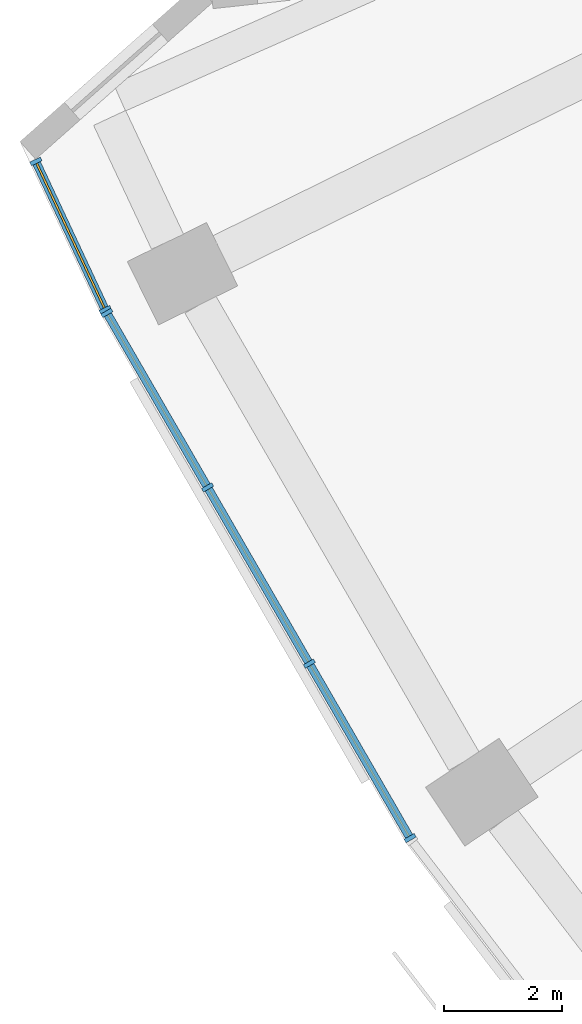
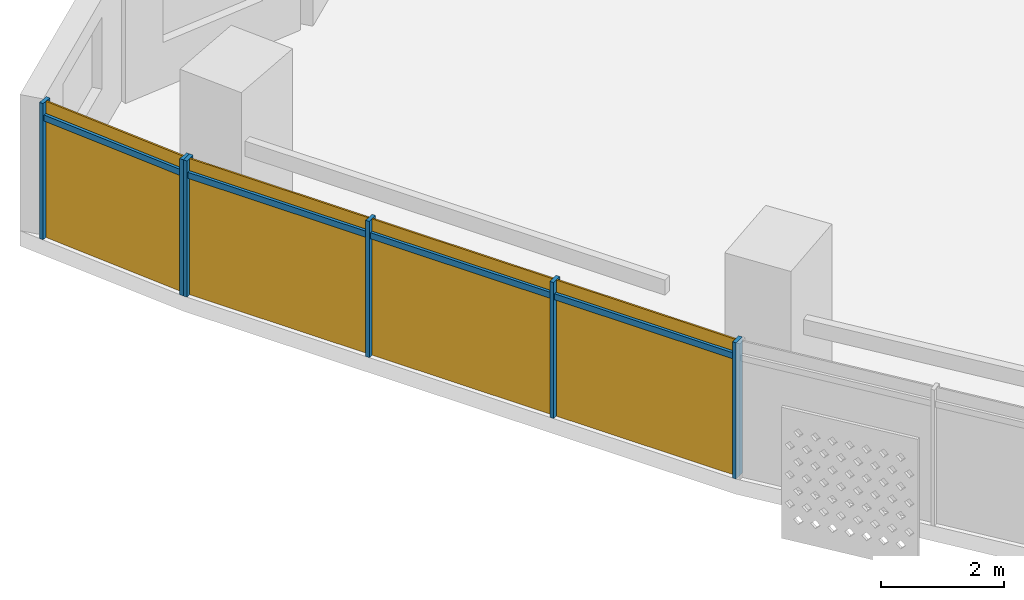
# One storey, part 21 of 29: 10 members, 2 curtain walls.
"""IFC4 building model written with IfcOpenShell, lengths in metres."""

from ifc_helpers import new_model, si_unit, direction, frame, origin, origin_2d, place, context, subcontext, project, spatial, rectangle, extrude, material, material_profile, profile_set, type_object, element, aggregate, save


model = new_model("IFC4")

# Units and contexts
model_context = context("Model", 3, precision=1e-05, world=origin(), true_north=direction((0.0, 1.0)))
body_context = subcontext(model_context, "Body", "Model", "MODEL_VIEW")
ifc_project = project(units=[si_unit("LENGTHUNIT", "METRE"), si_unit("AREAUNIT", "SQUARE_METRE"), si_unit("VOLUMEUNIT", "CUBIC_METRE"), si_unit("PLANEANGLEUNIT", "RADIAN"), si_unit("MASSUNIT", "GRAM", prefix="KILO")], contexts=[model_context])

# Member
ifc_material = material(Name="Aluminium 6063-T6 anodised", Category="aluminium")
ifc_material_profile_1 = material_profile(ifc_material, rectangle(XDim=0.199951171875, YDim=0.070068359375, at=origin_2d()))
ifc_profile_set_1 = profile_set([ifc_material_profile_1], Name="Aluminium 6063-T6 anodised")
member_type_1 = type_object("IfcMemberType", Name="Mullion 70 x 200 aluminium", PredefinedType="MULLION", material=ifc_profile_set_1)
site_placement = place(None, origin())
building_placement = place(site_placement, origin())
storey_placement = place(building_placement, frame((0.0, 0.0, 129.10009765625)))
member_1_placement = place(storey_placement, frame((-72.224609375, -32.4814453125, 0.0), z_axis=(0.0, 0.0, 1.0), x_axis=(0.905707531501, 0.423903134433, 0.0)))
member_1 = element("IfcMember", 1, at=member_1_placement, type_object=member_type_1, Name="e-cw1-L29-out00/M00", PredefinedType="MULLION", context=body_context, shape_type="SweptSolid", body=[
    extrude(rectangle(XDim=0.199951171875, YDim=0.070068359375, at=origin_2d()), origin(), (0.0, 0.0, 1.0), 2.699951171875),
])

member_2_placement = place(storey_placement, frame((-71.04638671875, -34.99951171875, 0.0), z_axis=(0.0, 0.0, 1.0), x_axis=(0.905707531501, 0.423903134433, 0.0)))
member_2 = element("IfcMember", 2, at=member_2_placement, type_object=member_type_1, Name="e-cw1-L29-out00/M01", PredefinedType="MULLION", context=body_context, shape_type="SweptSolid", body=[
    extrude(rectangle(XDim=0.199951171875, YDim=0.070068359375, at=origin_2d()), origin(), (0.0, 0.0, 1.0), 2.699951171875),
])

member_3_placement = place(storey_placement, frame((-71.017822265625, -35.0537109375, 0.0), z_axis=(0.0, 0.0, 1.0), x_axis=(0.866025403784, 0.5, 0.0)))
member_3 = element("IfcMember", 3, at=member_3_placement, type_object=member_type_1, Name="e-cw1-L29-out01/M00", PredefinedType="MULLION", context=body_context, shape_type="SweptSolid", body=[
    extrude(rectangle(XDim=0.199951171875, YDim=0.070068359375, at=origin_2d()), origin(), (0.0, 0.0, 1.0), 2.699951171875),
])

member_4_placement = place(storey_placement, frame((-69.306640625, -38.017822265625, 0.0), z_axis=(0.0, 0.0, 1.0), x_axis=(0.866025403784, 0.5, 0.0)))
member_4 = element("IfcMember", 4, at=member_4_placement, type_object=member_type_1, Name="e-cw1-L29-out01/M01", PredefinedType="MULLION", context=body_context, shape_type="SweptSolid", body=[
    extrude(rectangle(XDim=0.199951171875, YDim=0.070068359375, at=origin_2d()), origin(), (0.0, 0.0, 1.0), 2.699951171875),
])

member_5_placement = place(storey_placement, frame((-67.577880859375, -41.01220703125, 0.0), z_axis=(0.0, 0.0, 1.0), x_axis=(0.866025403784, 0.5, 0.0)))
member_5 = element("IfcMember", 5, at=member_5_placement, type_object=member_type_1, Name="e-cw1-L29-out01/M02", PredefinedType="MULLION", context=body_context, shape_type="SweptSolid", body=[
    extrude(rectangle(XDim=0.199951171875, YDim=0.070068359375, at=origin_2d()), origin(), (0.0, 0.0, 1.0), 2.699951171875),
])

member_6_placement = place(storey_placement, frame((-65.866455078125, -43.976318359375, 0.0), z_axis=(0.0, 0.0, 1.0), x_axis=(0.866025403784, 0.5, 0.0)))
member_6 = element("IfcMember", 6, at=member_6_placement, type_object=member_type_1, Name="e-cw1-L29-out01/M03", PredefinedType="MULLION", context=body_context, shape_type="SweptSolid", body=[
    extrude(rectangle(XDim=0.199951171875, YDim=0.070068359375, at=origin_2d()), origin(), (0.0, 0.0, 1.0), 2.699951171875),
])

ifc_material_profile_2 = material_profile(ifc_material, rectangle(XDim=0.139892578125, YDim=0.1201171875, at=origin_2d()))
ifc_profile_set_2 = profile_set([ifc_material_profile_2], Name="Aluminium 6063-T6 anodised")
member_type_2 = type_object("IfcMemberType", Name="Transom 120 x 140 aluminium", PredefinedType="USERDEFINED", material=ifc_profile_set_2)
member_7_placement = place(storey_placement, frame((-72.2099609375, -32.51318359375, 2.39990234375), z_axis=(0.423930672899, -0.905694642015, 0.0), x_axis=(0.905694642015, 0.423930672899, 0.0)))
member_7 = element("IfcMember", 7, at=member_7_placement, type_object=member_type_2, Name="e-cw1-L29-out00/T00", ObjectType="TRANSOM", PredefinedType="USERDEFINED", context=body_context, shape_type="SweptSolid", body=[
    extrude(rectangle(XDim=0.139892578125, YDim=0.1201171875, at=origin_2d()), origin(), (0.0, 0.0, 1.0), 2.710205078125),
])

member_8_placement = place(storey_placement, frame((-71.00048828125, -35.084228515625, 2.39990234375), z_axis=(0.50006283963, -0.865989120267, 0.0), x_axis=(0.865989120267, 0.50006283963, 0.0)))
member_8 = element("IfcMember", 8, at=member_8_placement, type_object=member_type_2, Name="e-cw1-L29-out01/T00", ObjectType="TRANSOM", PredefinedType="USERDEFINED", context=body_context, shape_type="SweptSolid", body=[
    extrude(rectangle(XDim=0.139892578125, YDim=0.1201171875, at=origin_2d()), origin(), (0.0, 0.0, 1.0), 3.3525390625),
])

member_9_placement = place(storey_placement, frame((-69.2890625, -38.048095703125, 2.39990234375), z_axis=(0.499999017107, -0.866025971257, 0.0), x_axis=(0.866025971257, 0.499999017107, 0.0)))
member_9 = element("IfcMember", 9, at=member_9_placement, type_object=member_type_2, Name="e-cw1-L29-out01/T01", ObjectType="TRANSOM", PredefinedType="USERDEFINED", context=body_context, shape_type="SweptSolid", body=[
    extrude(rectangle(XDim=0.139892578125, YDim=0.1201171875, at=origin_2d()), origin(), (0.0, 0.0, 1.0), 3.3876953125),
])

member_10_placement = place(storey_placement, frame((-67.560302734375, -41.042724609375, 2.39990234375), z_axis=(0.50000822536, -0.866020654818, 0.0), x_axis=(0.866020654818, 0.50000822536, 0.0)))
member_10 = element("IfcMember", 10, at=member_10_placement, type_object=member_type_2, Name="e-cw1-L29-out01/T02", ObjectType="TRANSOM", PredefinedType="USERDEFINED", context=body_context, shape_type="SweptSolid", body=[
    extrude(rectangle(XDim=0.139892578125, YDim=0.1201171875, at=origin_2d()), origin(), (0.0, 0.0, 1.0), 3.3525390625),
])

# Site, building, storey
site = spatial("IfcSite", under=ifc_project, at=site_placement, CompositionType="ELEMENT")
building = spatial("IfcBuilding", under=site, at=building_placement, Name="Qamariyya Broadcast Tower", CompositionType="ELEMENT")
storey = spatial("IfcBuildingStorey", under=building, at=storey_placement, Name="L29", CompositionType="ELEMENT", Elevation=129.10009765625)

# Curtain wall
curtain_wall_type = type_object("IfcCurtainWallType", Name="Unitised curtain wall, anodised aluminium", PredefinedType="NOTDEFINED", material=ifc_material)
curtain_wall_1_placement = place(storey_placement, origin())
curtain_wall_1 = element("IfcCurtainWall", 11, at=curtain_wall_1_placement, inside=storey, type_object=curtain_wall_type, Name="e-cw1-L29-out00", PredefinedType="NOTDEFINED", context=body_context, shape_type="SweptSolid", body=[
    extrude(rectangle(XDim=2.709716796875, YDim=0.031982421875, at=origin_2d()), frame((-71.635498046875, -33.740478515625, 0.0), x_axis=(0.423898240561, -0.90570982199, 0.0)), (0.0, 0.0, 1.0), 2.340087890625),
    extrude(rectangle(XDim=2.709716796875, YDim=0.031982421875, at=origin_2d()), frame((-71.635498046875, -33.740478515625, 2.4599609375), x_axis=(0.423898240561, -0.90570982199, 0.0)), (0.0, 0.0, 1.0), 0.239990234375),
])

aggregate(curtain_wall_1, [member_1, member_2, member_7])

curtain_wall_2_placement = place(storey_placement, origin())
curtain_wall_2 = element("IfcCurtainWall", 12, at=curtain_wall_2_placement, inside=storey, type_object=curtain_wall_type, Name="e-cw1-L29-out01", PredefinedType="NOTDEFINED", context=body_context, shape_type="SweptSolid", body=[
    extrude(rectangle(XDim=3.352783203125, YDim=0.031982421875, at=origin_2d()), frame((-70.162109375, -36.535888671875, 0.0), x_axis=(0.499996813733, -0.866027243369, 0.0)), (0.0, 0.0, 1.0), 2.340087890625),
    extrude(rectangle(XDim=3.352783203125, YDim=0.031982421875, at=origin_2d()), frame((-70.162109375, -36.535888671875, 2.4599609375), x_axis=(0.499996813733, -0.866027243369, 0.0)), (0.0, 0.0, 1.0), 0.239990234375),
    extrude(rectangle(XDim=3.3876953125, YDim=0.031982421875, at=origin_2d()), frame((-68.442138671875, -39.51513671875, 0.0), x_axis=(0.499996813733, -0.866027243369, 0.0)), (0.0, 0.0, 1.0), 2.340087890625),
    extrude(rectangle(XDim=3.3876953125, YDim=0.031982421875, at=origin_2d()), frame((-68.442138671875, -39.51513671875, 2.4599609375), x_axis=(0.499996813733, -0.866027243369, 0.0)), (0.0, 0.0, 1.0), 0.239990234375),
    extrude(rectangle(XDim=3.352783203125, YDim=0.031982421875, at=origin_2d()), frame((-66.72216796875, -42.494384765625, 0.0), x_axis=(0.499996813733, -0.866027243369, 0.0)), (0.0, 0.0, 1.0), 2.340087890625),
    extrude(rectangle(XDim=3.352783203125, YDim=0.031982421875, at=origin_2d()), frame((-66.72216796875, -42.494384765625, 2.4599609375), x_axis=(0.499996813733, -0.866027243369, 0.0)), (0.0, 0.0, 1.0), 0.239990234375),
])

aggregate(curtain_wall_2, [member_3, member_4, member_5, member_6, member_8, member_9, member_10])

save(model, "model.ifc")
